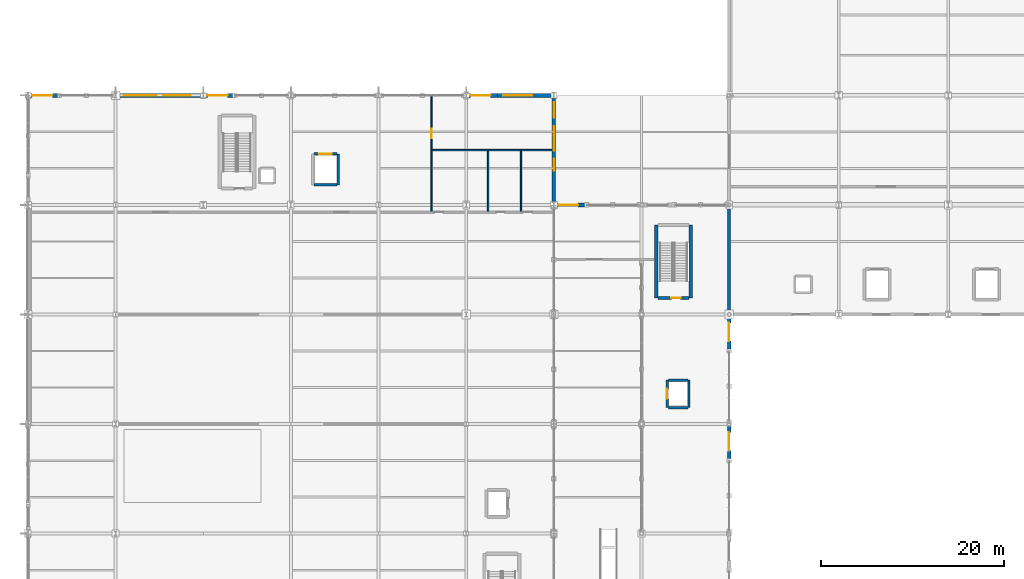
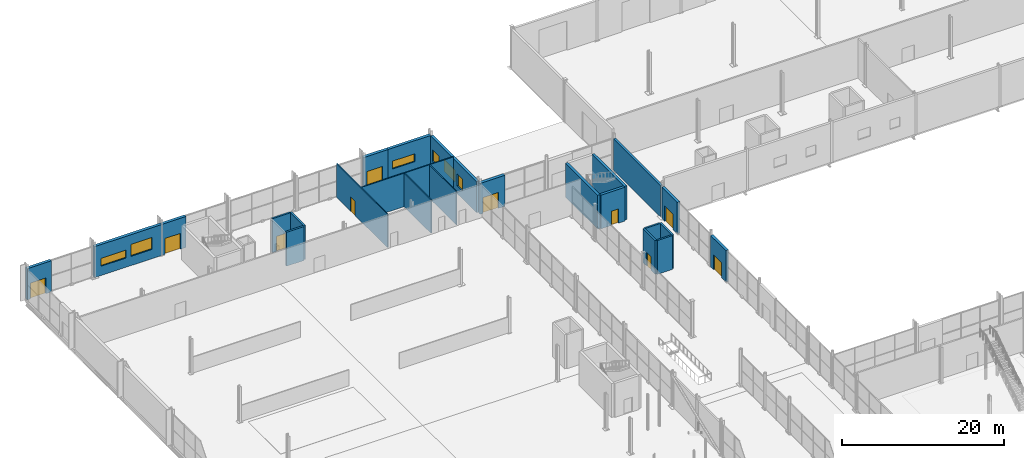
# One storey, part 172 of 196: 24 walls, 10 doors, 6 windows, 16 openings.
"""IFC4 building model written with IfcOpenShell, lengths in metres."""

from ifc_helpers import new_model, si_unit, direction, frame, frame_2d, origin, place, context, subcontext, project, spatial, rectangle, extrude, material, layer, layer_set, type_object, element, fill, save


model = new_model("IFC4")

# Units and contexts
model_context = context("Model", 3, precision=1e-05, world=origin(), true_north=direction((0.0, 1.0)))
body_context = subcontext(model_context, "Body", "Model", "MODEL_VIEW")
ifc_project = project(units=[si_unit("LENGTHUNIT", "METRE"), si_unit("AREAUNIT", "SQUARE_METRE"), si_unit("VOLUMEUNIT", "CUBIC_METRE"), si_unit("PLANEANGLEUNIT", "RADIAN"), si_unit("MASSUNIT", "GRAM", prefix="KILO")], contexts=[model_context])

# Site, building, storey
site_placement = place(None, origin())
site = spatial("IfcSite", under=ifc_project, at=site_placement, CompositionType="ELEMENT")
building_placement = place(site_placement, origin())
building = spatial("IfcBuilding", under=site, at=building_placement, Name="Merenkruunu Market Hall", CompositionType="ELEMENT")
storey_placement = place(building_placement, origin())
storey = spatial("IfcBuildingStorey", under=building, at=storey_placement, Name="L00", CompositionType="ELEMENT", Elevation=0.0)

# Wall, opening, door
ifc_material_1 = material(Name="Kuru grey granite", Category="masonry")
ifc_layer_1 = layer(ifc_material_1, 0.419921875)
ifc_layer_set_1 = layer_set([ifc_layer_1], Name="Kuru grey granite")
wall_type_1 = type_object("IfcWallType", Name="Exterior Envelope Wall EW01", PredefinedType="STANDARD", material=ifc_layer_set_1)
wall_1_placement = place(storey_placement, frame((0.011962890625, 111.60009765625, 0.0), z_axis=(0.0, 0.0, 1.0), x_axis=(1.0, 0.0, 0.0)))
wall_1 = element("IfcWall", 1, at=wall_1_placement, inside=storey, type_object=wall_type_1, Name="WALL-EXT-L00-0014", PredefinedType="STANDARD", context=body_context, shape_type="SweptSolid", body=[
    extrude(rectangle(XDim=3.43798828125, YDim=0.419921875, at=frame_2d((1.718994140625, 0.0))), origin(), (0.0, 0.0, 1.0), 4.699951171875),
])
opening_1_placement = place(wall_1_placement, frame((0.449951171875, 0.0, 0.0)))
opening_1 = element("IfcOpeningElement", 2, at=opening_1_placement, cuts=wall_1, Name="Opening EXD02", PredefinedType="OPENING", context=body_context, shape_type="SweptSolid", body=[
    extrude(rectangle(XDim=2.199951171875, YDim=2.39990234375, at=frame_2d((1.10009765625, 1.199951171875))), frame((0.0, 0.219970703125, 0.0), z_axis=(0.0, -1.0, 0.0), x_axis=(1.0, 0.0, 0.0)), (0.0, 0.0, 1.0), 0.43994140625),
])
ifc_material_2 = material(Name="Powder-coated aluminium", Category="aluminium")
door_type_1 = type_object("IfcDoorType", Name="Pedestrian Exit Door EXD02", OperationType="NOTDEFINED", PredefinedType="DOOR", material=ifc_material_2)
door_1_placement = place(opening_1_placement, origin())
door_1 = element("IfcDoor", 3, at=door_1_placement, inside=storey, type_object=door_type_1, Name="EX-07", OperationType="DOUBLE_DOOR_SINGLE_SWING", OverallHeight=2.39990234375, OverallWidth=2.199951171875, PredefinedType="DOOR", context=body_context, shape_type="SweptSolid", body=[
    extrude(rectangle(XDim=2.199951171875, YDim=2.39990234375, at=frame_2d((1.10009765625, 1.199951171875))), frame((0.0, 0.02490234375, 0.0), z_axis=(0.0, -1.0, 0.0), x_axis=(1.0, 0.0, 0.0)), (0.0, 0.0, 1.0), 0.050048828125),
])
fill(opening_1, door_1)

# Wall, openings, windows
wall_2_placement = place(storey_placement, frame((9.610107421875, 111.60009765625, 0.0), z_axis=(0.0, 0.0, 1.0), x_axis=(1.0, 0.0, 0.0)))
wall_2 = element("IfcWall", 4, at=wall_2_placement, inside=storey, type_object=wall_type_1, Name="WALL-EXT-L00-0015", PredefinedType="STANDARD", context=body_context, shape_type="SweptSolid", body=[
    extrude(rectangle(XDim=9.57958984375, YDim=0.419921875, at=frame_2d((4.789794921875, 0.0))), origin(), (0.0, 0.0, 1.0), 4.6650390625),
])
opening_2_placement = place(wall_2_placement, frame((0.89990234375, 0.0, 1.39990234375)))
opening_2 = element("IfcOpeningElement", 5, at=opening_2_placement, cuts=wall_2, Name="Opening WN18", PredefinedType="OPENING", context=body_context, shape_type="SweptSolid", body=[
    extrude(rectangle(XDim=3.60009765625, YDim=1.199951171875, at=frame_2d((1.800048828125, 0.60009765625))), frame((0.0, 0.219970703125, 0.0), z_axis=(0.0, -1.0, 0.0), x_axis=(1.0, 0.0, 0.0)), (0.0, 0.0, 1.0), 0.43994140625),
])
opening_3_placement = place(wall_2_placement, frame((5.199951171875, 0.0, 1.39990234375)))
opening_3 = element("IfcOpeningElement", 6, at=opening_3_placement, cuts=wall_2, Name="Opening WN07", PredefinedType="OPENING", context=body_context, shape_type="SweptSolid", body=[
    extrude(rectangle(XDim=3.0, YDim=1.800048828125, at=frame_2d((1.5, 0.89990234375))), frame((0.0, 0.219970703125, 0.0), z_axis=(0.0, -1.0, 0.0), x_axis=(1.0, 0.0, 0.0)), (0.0, 0.0, 1.0), 0.43994140625),
])
ifc_material_3 = material(Name="Triple low-E insulated glass", Category="glass")
ifc_layer_2 = layer(ifc_material_3, 0.06005859375)
ifc_layer_set_2 = layer_set([ifc_layer_2], Name="Triple low-E insulated glass")
window_type_1 = type_object("IfcWindowType", Name="Exterior Window WN07", PartitioningType="SINGLE_PANEL", PredefinedType="WINDOW", material=ifc_layer_set_2)
window_1_placement = place(opening_3_placement, origin())
window_1 = element("IfcWindow", 7, at=window_1_placement, inside=storey, type_object=window_type_1, Name="WIN-L00-0005", OverallHeight=1.800048828125, OverallWidth=3.0, PartitioningType="SINGLE_PANEL", PredefinedType="WINDOW", context=body_context, shape_type="SweptSolid", body=[
    extrude(rectangle(XDim=3.0, YDim=1.800048828125, at=frame_2d((1.5, 0.89990234375))), frame((0.0, 0.030029296875, 0.0), z_axis=(0.0, -1.0, 0.0), x_axis=(1.0, 0.0, 0.0)), (0.0, 0.0, 1.0), 0.06005859375),
])
fill(opening_3, window_1)
ifc_layer_3 = layer(ifc_material_3, 0.06005859375)
ifc_layer_set_3 = layer_set([ifc_layer_3], Name="Triple low-E insulated glass")
window_type_2 = type_object("IfcWindowType", Name="Exterior Window WN18", PartitioningType="SINGLE_PANEL", PredefinedType="WINDOW", material=ifc_layer_set_3)
window_2_placement = place(opening_2_placement, origin())
window_2 = element("IfcWindow", 8, at=window_2_placement, inside=storey, type_object=window_type_2, Name="WIN-L00-0004", OverallHeight=1.199951171875, OverallWidth=3.60009765625, PartitioningType="SINGLE_PANEL", PredefinedType="WINDOW", context=body_context, shape_type="SweptSolid", body=[
    extrude(rectangle(XDim=3.60009765625, YDim=1.199951171875, at=frame_2d((1.800048828125, 0.60009765625))), frame((0.0, 0.030029296875, 0.0), z_axis=(0.0, -1.0, 0.0), x_axis=(1.0, 0.0, 0.0)), (0.0, 0.0, 1.0), 0.06005859375),
])
fill(opening_2, window_2)

# Wall, opening, door
wall_3_placement = place(storey_placement, frame((19.210205078125, 111.60009765625, 0.0), z_axis=(0.0, 0.0, 1.0), x_axis=(1.0, 0.0, 0.0)))
wall_3 = element("IfcWall", 9, at=wall_3_placement, inside=storey, type_object=wall_type_1, Name="WALL-EXT-L00-0016", PredefinedType="STANDARD", context=body_context, shape_type="SweptSolid", body=[
    extrude(rectangle(XDim=3.439697265625, YDim=0.419921875, at=frame_2d((1.7197265625, 0.0))), origin(), (0.0, 0.0, 1.0), 4.6650390625),
])
opening_4_placement = place(wall_3_placement, frame((0.449951171875, 0.0, 0.0)))
opening_4 = element("IfcOpeningElement", 10, at=opening_4_placement, cuts=wall_3, Name="Opening EXD02", PredefinedType="OPENING", context=body_context, shape_type="SweptSolid", body=[
    extrude(rectangle(XDim=2.199951171875, YDim=2.39990234375, at=frame_2d((1.10009765625, 1.199951171875))), frame((0.0, 0.219970703125, 0.0), z_axis=(0.0, -1.0, 0.0), x_axis=(1.0, 0.0, 0.0)), (0.0, 0.0, 1.0), 0.43994140625),
])
door_2_placement = place(opening_4_placement, origin())
door_2 = element("IfcDoor", 11, at=door_2_placement, inside=storey, type_object=door_type_1, Name="EX-08", OperationType="DOUBLE_DOOR_SINGLE_SWING", OverallHeight=2.39990234375, OverallWidth=2.199951171875, PredefinedType="DOOR", context=body_context, shape_type="SweptSolid", body=[
    extrude(rectangle(XDim=2.199951171875, YDim=2.39990234375, at=frame_2d((1.10009765625, 1.199951171875))), frame((0.0, 0.02490234375, 0.0), z_axis=(0.0, -1.0, 0.0), x_axis=(1.0, 0.0, 0.0)), (0.0, 0.0, 1.0), 0.050048828125),
])
fill(opening_4, door_2)

wall_4_placement = place(storey_placement, frame((48.01025390625, 111.60009765625, 0.0), z_axis=(0.0, 0.0, 1.0), x_axis=(1.0, 0.0, 0.0)))
wall_4 = element("IfcWall", 12, at=wall_4_placement, inside=storey, type_object=wall_type_1, Name="WALL-EXT-L00-0017", PredefinedType="STANDARD", context=body_context, shape_type="SweptSolid", body=[
    extrude(rectangle(XDim=3.439697265625, YDim=0.419921875, at=frame_2d((1.7197265625, 0.0))), origin(), (0.0, 0.0, 1.0), 4.6650390625),
])
opening_5_placement = place(wall_4_placement, frame((0.449951171875, 0.0, 0.0)))
opening_5 = element("IfcOpeningElement", 13, at=opening_5_placement, cuts=wall_4, Name="Opening EXD02", PredefinedType="OPENING", context=body_context, shape_type="SweptSolid", body=[
    extrude(rectangle(XDim=2.199951171875, YDim=2.39990234375, at=frame_2d((1.10009765625, 1.199951171875))), frame((0.0, 0.219970703125, 0.0), z_axis=(0.0, -1.0, 0.0), x_axis=(1.0, 0.0, 0.0)), (0.0, 0.0, 1.0), 0.43994140625),
])
door_3_placement = place(opening_5_placement, origin())
door_3 = element("IfcDoor", 14, at=door_3_placement, inside=storey, type_object=door_type_1, Name="EX-09", OperationType="DOUBLE_DOOR_SINGLE_SWING", OverallHeight=2.39990234375, OverallWidth=2.199951171875, PredefinedType="DOOR", context=body_context, shape_type="SweptSolid", body=[
    extrude(rectangle(XDim=2.199951171875, YDim=2.39990234375, at=frame_2d((1.10009765625, 1.199951171875))), frame((0.0, 0.02490234375, 0.0), z_axis=(0.0, -1.0, 0.0), x_axis=(1.0, 0.0, 0.0)), (0.0, 0.0, 1.0), 0.050048828125),
])
fill(opening_5, door_3)

# Wall, opening, window
wall_5_placement = place(storey_placement, frame((51.449951171875, 111.60009765625, 0.0), z_axis=(0.0, 0.0, 1.0), x_axis=(1.0, 0.0, 0.0)))
wall_5 = element("IfcWall", 15, at=wall_5_placement, inside=storey, type_object=wall_type_1, Name="WALL-EXT-L00-0018", PredefinedType="STANDARD", context=body_context, shape_type="SweptSolid", body=[
    extrude(rectangle(XDim=6.137939453125, YDim=0.419921875, at=frame_2d((3.06884765625, 0.0))), origin(), (0.0, 0.0, 1.0), 4.6650390625),
])
opening_6_placement = place(wall_5_placement, frame((0.60009765625, 0.0, 1.5)))
opening_6 = element("IfcOpeningElement", 16, at=opening_6_placement, cuts=wall_5, Name="Opening WN17", PredefinedType="OPENING", context=body_context, shape_type="SweptSolid", body=[
    extrude(rectangle(XDim=3.199951171875, YDim=1.199951171875, at=frame_2d((1.60009765625, 0.60009765625))), frame((0.0, 0.219970703125, 0.0), z_axis=(0.0, -1.0, 0.0), x_axis=(1.0, 0.0, 0.0)), (0.0, 0.0, 1.0), 0.43994140625),
])
ifc_layer_4 = layer(ifc_material_3, 0.06005859375)
ifc_layer_set_4 = layer_set([ifc_layer_4], Name="Triple low-E insulated glass")
window_type_3 = type_object("IfcWindowType", Name="Exterior Window WN17", PartitioningType="SINGLE_PANEL", PredefinedType="WINDOW", material=ifc_layer_set_4)
window_3_placement = place(opening_6_placement, origin())
window_3 = element("IfcWindow", 17, at=window_3_placement, inside=storey, type_object=window_type_3, Name="WIN-L00-0006", OverallHeight=1.199951171875, OverallWidth=3.199951171875, PartitioningType="SINGLE_PANEL", PredefinedType="WINDOW", context=body_context, shape_type="SweptSolid", body=[
    extrude(rectangle(XDim=3.199951171875, YDim=1.199951171875, at=frame_2d((1.60009765625, 0.60009765625))), frame((0.0, 0.030029296875, 0.0), z_axis=(0.0, -1.0, 0.0), x_axis=(1.0, 0.0, 0.0)), (0.0, 0.0, 1.0), 0.06005859375),
])
fill(opening_6, window_3)

# Wall, opening, door
wall_6_placement = place(storey_placement, frame((57.612060546875, 99.60009765625, 0.0), z_axis=(0.0, 0.0, 1.0), x_axis=(1.0, 0.0, 0.0)))
wall_6 = element("IfcWall", 18, at=wall_6_placement, inside=storey, type_object=wall_type_1, Name="WALL-EXT-L00-0025", PredefinedType="STANDARD", context=body_context, shape_type="SweptSolid", body=[
    extrude(rectangle(XDim=3.587890625, YDim=0.419921875, at=frame_2d((1.7939453125, 0.0))), origin(), (0.0, 0.0, 1.0), 4.6650390625),
])
opening_7_placement = place(wall_6_placement, frame((0.449951171875, 0.0, 0.0)))
opening_7 = element("IfcOpeningElement", 19, at=opening_7_placement, cuts=wall_6, Name="Opening EXD02", PredefinedType="OPENING", context=body_context, shape_type="SweptSolid", body=[
    extrude(rectangle(XDim=2.199951171875, YDim=2.39990234375, at=frame_2d((1.10009765625, 1.199951171875))), frame((0.0, 0.219970703125, 0.0), z_axis=(0.0, -1.0, 0.0), x_axis=(1.0, 0.0, 0.0)), (0.0, 0.0, 1.0), 0.43994140625),
])
door_4_placement = place(opening_7_placement, origin())
door_4 = element("IfcDoor", 20, at=door_4_placement, inside=storey, type_object=door_type_1, Name="EX-11", OperationType="DOUBLE_DOOR_SINGLE_SWING", OverallHeight=2.39990234375, OverallWidth=2.199951171875, PredefinedType="DOOR", context=body_context, shape_type="SweptSolid", body=[
    extrude(rectangle(XDim=2.199951171875, YDim=2.39990234375, at=frame_2d((1.10009765625, 1.199951171875))), frame((0.0, 0.02490234375, 0.0), z_axis=(0.0, -1.0, 0.0), x_axis=(1.0, 0.0, 0.0)), (0.0, 0.0, 1.0), 0.050048828125),
])
fill(opening_7, door_4)

# Wall, openings, windows
ifc_material_4 = material(Name="Precast concrete C40/50", Category="concrete")
ifc_layer_5 = layer(ifc_material_4, 0.3798828125)
ifc_layer_set_5 = layer_set([ifc_layer_5], Name="Precast concrete C40/50")
wall_type_2 = type_object("IfcWallType", Name="Exterior Envelope Wall EW02", PredefinedType="STANDARD", material=ifc_layer_set_5)
wall_7_placement = place(storey_placement, frame((57.60009765625, 111.27099609375, 0.0), z_axis=(0.0, 0.0, 1.0), x_axis=(0.0, -1.0, 0.0)))
wall_7 = element("IfcWall", 21, at=wall_7_placement, inside=storey, type_object=wall_type_2, Name="WALL-EXT-L00-0023", PredefinedType="STANDARD", context=body_context, shape_type="SweptSolid", body=[
    extrude(rectangle(XDim=11.342041015625, YDim=0.3798828125, at=frame_2d((5.6708984375, 0.0))), origin(), (0.0, 0.0, 1.0), 4.699951171875),
])
opening_8_placement = place(wall_7_placement, frame((0.449951171875, 0.0, 1.199951171875)))
opening_8 = element("IfcOpeningElement", 22, at=opening_8_placement, cuts=wall_7, Name="Opening WN24", PredefinedType="OPENING", context=body_context, shape_type="SweptSolid", body=[
    extrude(rectangle(XDim=1.64990234375, YDim=1.75, at=frame_2d((0.824951171875, 0.875))), frame((0.0, 0.199951171875, 0.0), z_axis=(0.0, -1.0, 0.0), x_axis=(1.0, 0.0, 0.0)), (0.0, 0.0, 1.0), 0.39990234375),
])
opening_9_placement = place(wall_7_placement, frame((3.050048828125, 0.0, 1.199951171875)))
opening_9 = element("IfcOpeningElement", 23, at=opening_9_placement, cuts=wall_7, Name="Opening WN06", PredefinedType="OPENING", context=body_context, shape_type="SweptSolid", body=[
    extrude(rectangle(XDim=2.699951171875, YDim=1.800048828125, at=frame_2d((1.35009765625, 0.89990234375))), frame((0.0, 0.199951171875, 0.0), z_axis=(0.0, -1.0, 0.0), x_axis=(1.0, 0.0, 0.0)), (0.0, 0.0, 1.0), 0.39990234375),
])
opening_10_placement = place(wall_7_placement, frame((6.60009765625, 0.0, 1.199951171875)))
opening_10 = element("IfcOpeningElement", 24, at=opening_10_placement, cuts=wall_7, Name="Opening WN23", PredefinedType="OPENING", context=body_context, shape_type="SweptSolid", body=[
    extrude(rectangle(XDim=1.35009765625, YDim=1.75, at=frame_2d((0.675048828125, 0.875))), frame((0.0, 0.199951171875, 0.0), z_axis=(0.0, -1.0, 0.0), x_axis=(1.0, 0.0, 0.0)), (0.0, 0.0, 1.0), 0.39990234375),
])
ifc_layer_6 = layer(ifc_material_3, 0.06005859375)
ifc_layer_set_6 = layer_set([ifc_layer_6], Name="Triple low-E insulated glass")
window_type_4 = type_object("IfcWindowType", Name="Exterior Window WN06", PartitioningType="SINGLE_PANEL", PredefinedType="WINDOW", material=ifc_layer_set_6)
window_4_placement = place(opening_9_placement, origin())
window_4 = element("IfcWindow", 25, at=window_4_placement, inside=storey, type_object=window_type_4, Name="WIN-L00-0008", OverallHeight=1.800048828125, OverallWidth=2.699951171875, PartitioningType="SINGLE_PANEL", PredefinedType="WINDOW", context=body_context, shape_type="SweptSolid", body=[
    extrude(rectangle(XDim=2.699951171875, YDim=1.800048828125, at=frame_2d((1.35009765625, 0.89990234375))), frame((0.0, 0.030029296875, 0.0), z_axis=(0.0, -1.0, 0.0), x_axis=(1.0, 0.0, 0.0)), (0.0, 0.0, 1.0), 0.06005859375),
])
fill(opening_9, window_4)
ifc_layer_7 = layer(ifc_material_3, 0.06005859375)
ifc_layer_set_7 = layer_set([ifc_layer_7], Name="Triple low-E insulated glass")
window_type_5 = type_object("IfcWindowType", Name="Exterior Window WN23", PartitioningType="SINGLE_PANEL", PredefinedType="WINDOW", material=ifc_layer_set_7)
window_5_placement = place(opening_10_placement, origin())
window_5 = element("IfcWindow", 26, at=window_5_placement, inside=storey, type_object=window_type_5, Name="WIN-L00-0009", OverallHeight=1.75, OverallWidth=1.35009765625, PartitioningType="SINGLE_PANEL", PredefinedType="WINDOW", context=body_context, shape_type="SweptSolid", body=[
    extrude(rectangle(XDim=1.35009765625, YDim=1.75, at=frame_2d((0.675048828125, 0.875))), frame((0.0, 0.030029296875, 0.0), z_axis=(0.0, -1.0, 0.0), x_axis=(1.0, 0.0, 0.0)), (0.0, 0.0, 1.0), 0.06005859375),
])
fill(opening_10, window_5)
ifc_layer_8 = layer(ifc_material_3, 0.06005859375)
ifc_layer_set_8 = layer_set([ifc_layer_8], Name="Triple low-E insulated glass")
window_type_6 = type_object("IfcWindowType", Name="Exterior Window WN24", PartitioningType="SINGLE_PANEL", PredefinedType="WINDOW", material=ifc_layer_set_8)
window_6_placement = place(opening_8_placement, origin())
window_6 = element("IfcWindow", 27, at=window_6_placement, inside=storey, type_object=window_type_6, Name="WIN-L00-0007", OverallHeight=1.75, OverallWidth=1.64990234375, PartitioningType="SINGLE_PANEL", PredefinedType="WINDOW", context=body_context, shape_type="SweptSolid", body=[
    extrude(rectangle(XDim=1.64990234375, YDim=1.75, at=frame_2d((0.824951171875, 0.875))), frame((0.0, 0.030029296875, 0.0), z_axis=(0.0, -1.0, 0.0), x_axis=(1.0, 0.0, 0.0)), (0.0, 0.0, 1.0), 0.06005859375),
])
fill(opening_8, window_6)

# Wall, opening, door
wall_8_placement = place(storey_placement, frame((76.800048828125, 75.392822265625, 0.0), z_axis=(0.0, 0.0, 1.0), x_axis=(0.0, -1.0, 0.0)))
wall_8 = element("IfcWall", 28, at=wall_8_placement, inside=storey, type_object=wall_type_2, Name="WALL-EXT-L00-0029", PredefinedType="STANDARD", context=body_context, shape_type="SweptSolid", body=[
    extrude(rectangle(XDim=3.792724609375, YDim=0.3798828125, at=frame_2d((1.896484375, 0.0))), origin(), (0.0, 0.0, 1.0), 4.735107421875),
])
opening_11_placement = place(wall_8_placement, frame((0.699951171875, 0.0, 0.0)))
opening_11 = element("IfcOpeningElement", 29, at=opening_11_placement, cuts=wall_8, Name="Opening EXD03", PredefinedType="OPENING", context=body_context, shape_type="SweptSolid", body=[
    extrude(rectangle(XDim=2.0, YDim=2.300048828125, at=frame_2d((1.0, 1.14990234375))), frame((0.0, 0.199951171875, 0.0), z_axis=(0.0, -1.0, 0.0), x_axis=(1.0, 0.0, 0.0)), (0.0, 0.0, 1.0), 0.39990234375),
])
door_type_2 = type_object("IfcDoorType", Name="Pedestrian Exit Door EXD03", OperationType="NOTDEFINED", PredefinedType="DOOR", material=ifc_material_2)
door_5_placement = place(opening_11_placement, origin())
door_5 = element("IfcDoor", 30, at=door_5_placement, inside=storey, type_object=door_type_2, Name="EX-15", OperationType="DOUBLE_DOOR_SINGLE_SWING", OverallHeight=2.300048828125, OverallWidth=2.0, PredefinedType="DOOR", context=body_context, shape_type="SweptSolid", body=[
    extrude(rectangle(XDim=2.0, YDim=2.300048828125, at=frame_2d((1.0, 1.14990234375))), frame((0.0, 0.02490234375, 0.0), z_axis=(0.0, -1.0, 0.0), x_axis=(1.0, 0.0, 0.0)), (0.0, 0.0, 1.0), 0.050048828125),
])
fill(opening_11, door_5)

wall_9_placement = place(storey_placement, frame((76.800048828125, 87.392822265625, 0.0), z_axis=(0.0, 0.0, 1.0), x_axis=(0.0, -1.0, 0.0)))
wall_9 = element("IfcWall", 31, at=wall_9_placement, inside=storey, type_object=wall_type_2, Name="WALL-EXT-L00-0030", PredefinedType="STANDARD", context=body_context, shape_type="SweptSolid", body=[
    extrude(rectangle(XDim=3.792724609375, YDim=0.3798828125, at=frame_2d((1.896484375, 0.0))), origin(), (0.0, 0.0, 1.0), 4.735107421875),
])
opening_12_placement = place(wall_9_placement, frame((0.699951171875, 0.0, 0.0)))
opening_12 = element("IfcOpeningElement", 32, at=opening_12_placement, cuts=wall_9, Name="Opening EXD03", PredefinedType="OPENING", context=body_context, shape_type="SweptSolid", body=[
    extrude(rectangle(XDim=2.0, YDim=2.300048828125, at=frame_2d((1.0, 1.14990234375))), frame((0.0, 0.199951171875, 0.0), z_axis=(0.0, -1.0, 0.0), x_axis=(1.0, 0.0, 0.0)), (0.0, 0.0, 1.0), 0.39990234375),
])
door_6_placement = place(opening_12_placement, origin())
door_6 = element("IfcDoor", 33, at=door_6_placement, inside=storey, type_object=door_type_2, Name="EX-16", OperationType="DOUBLE_DOOR_SINGLE_SWING", OverallHeight=2.300048828125, OverallWidth=2.0, PredefinedType="DOOR", context=body_context, shape_type="SweptSolid", body=[
    extrude(rectangle(XDim=2.0, YDim=2.300048828125, at=frame_2d((1.0, 1.14990234375))), frame((0.0, 0.02490234375, 0.0), z_axis=(0.0, -1.0, 0.0), x_axis=(1.0, 0.0, 0.0)), (0.0, 0.0, 1.0), 0.050048828125),
])
fill(opening_12, door_6)

# Wall
ifc_material_5 = material(Name="Ribbed insulated steel cladding", Category="steel")
ifc_layer_9 = layer(ifc_material_5, 0.320068359375)
ifc_layer_set_9 = layer_set([ifc_layer_9], Name="Ribbed insulated steel cladding")
wall_type_3 = type_object("IfcWallType", Name="Exterior Envelope Wall EW04", PredefinedType="STANDARD", material=ifc_layer_set_9)
wall_10_placement = place(storey_placement, frame((76.800048828125, 87.80712890625, 0.0), z_axis=(0.0, 0.0, 1.0), x_axis=(0.0, 1.0, 0.0)))
element("IfcWall", 34, at=wall_10_placement, inside=storey, type_object=wall_type_3, Name="WALL-EXT-L00-0045", PredefinedType="STANDARD", context=body_context, shape_type="SweptSolid", body=[
    extrude(rectangle(XDim=11.585693359375, YDim=0.320068359375, at=frame_2d((5.79296875, 0.0))), origin(), (0.0, 0.0, 1.0), 4.735107421875),
])

# Wall, opening, door
ifc_material_6 = material(Name="Ceramic hygienic wet-room board")
ifc_layer_10 = layer(ifc_material_6, 0.139892578125)
ifc_layer_set_10 = layer_set([ifc_layer_10], Name="Ceramic hygienic wet-room board")
wall_type_4 = type_object("IfcWallType", Name="Interior Partition Wall PW02", PredefinedType="PARTITIONING", material=ifc_layer_set_10)
wall_11_placement = place(storey_placement, frame((44.199951171875, 98.902099609375, 0.0), z_axis=(0.0, 0.0, 1.0), x_axis=(0.0, 1.0, 0.0)))
wall_11 = element("IfcWall", 35, at=wall_11_placement, inside=storey, type_object=wall_type_4, Name="WALL-INT-L00-0029", PredefinedType="PARTITIONING", context=body_context, shape_type="SweptSolid", body=[
    extrude(rectangle(XDim=12.615966796875, YDim=0.139892578125, at=frame_2d((6.30810546875, 0.0))), origin(), (0.0, 0.0, 1.0), 5.0400390625),
])
opening_13_placement = place(wall_11_placement, frame((8.0, 0.0, 0.0)))
opening_13 = element("IfcOpeningElement", 36, at=opening_13_placement, cuts=wall_11, Name="Opening D03", PredefinedType="OPENING", context=body_context, shape_type="SweptSolid", body=[
    extrude(rectangle(XDim=1.050048828125, YDim=2.14990234375, at=frame_2d((0.52490234375, 1.074951171875))), frame((0.0, 0.080078125, 0.0), z_axis=(0.0, -1.0, 0.0), x_axis=(1.0, 0.0, 0.0)), (0.0, 0.0, 1.0), 0.159912109375),
])
ifc_material_7 = material(Name="Lacquered Nordic birch")
door_type_3 = type_object("IfcDoorType", Name="Pedestrian Room Door D03", OperationType="NOTDEFINED", PredefinedType="DOOR", material=ifc_material_7)
door_7_placement = place(opening_13_placement, origin())
door_7 = element("IfcDoor", 37, at=door_7_placement, inside=storey, type_object=door_type_3, Name="DR-L00-032", OperationType="SINGLE_SWING_LEFT", OverallHeight=2.14990234375, OverallWidth=1.050048828125, PredefinedType="DOOR", context=body_context, shape_type="SweptSolid", body=[
    extrude(rectangle(XDim=1.050048828125, YDim=2.14990234375, at=frame_2d((0.52490234375, 1.074951171875))), frame((0.0, 0.02490234375, 0.0), z_axis=(0.0, -1.0, 0.0), x_axis=(1.0, 0.0, 0.0)), (0.0, 0.0, 1.0), 0.050048828125),
])
fill(opening_13, door_7)

# Walls
wall_12_placement = place(storey_placement, frame((44.27197265625, 105.60009765625, 0.0), z_axis=(0.0, 0.0, 1.0), x_axis=(1.0, 0.0, 0.0)))
element("IfcWall", 38, at=wall_12_placement, inside=storey, type_object=wall_type_4, Name="WALL-INT-L00-0030", PredefinedType="PARTITIONING", context=body_context, shape_type="SweptSolid", body=[
    extrude(rectangle(XDim=13.135986328125, YDim=0.139892578125, at=frame_2d((6.56787109375, 0.0))), origin(), (0.0, 0.0, 1.0), 5.0400390625),
])
for number, where, z_axis, x_axis, name in (
    (39, (50.39990234375, 98.902099609375, 0.0), (0.0, 0.0, 1.0), (0.0, 1.0, 0.0), "WALL-INT-L00-0031"),
    (40, (54.0, 98.902099609375, 0.0), (0.0, 0.0, 1.0), (0.0, 1.0, 0.0), "WALL-INT-L00-0032"),
):
    element("IfcWall", number, at=place(storey_placement, frame(where, z_axis=z_axis, x_axis=x_axis)), inside=storey, type_object=wall_type_4, Name=name, PredefinedType="PARTITIONING", context=body_context, shape_type="SweptSolid", body=[
        extrude(rectangle(XDim=6.6259765625, YDim=0.139892578125, at=frame_2d((3.31298828125, 0.0))), origin(), (0.0, 0.0, 1.0), 5.0400390625),
    ])

# Wall, opening, door
ifc_material_8 = material(Name="Concrete C35/45", Category="concrete")
ifc_layer_11 = layer(ifc_material_8, 0.360107421875)
ifc_layer_set_11 = layer_set([ifc_layer_11], Name="Concrete C35/45")
wall_type_5 = type_object("IfcWallType", Name="Structural Shear Wall SW01", PredefinedType="SHEAR", material=ifc_layer_set_11)
wall_13_placement = place(storey_placement, frame((72.419921875, 89.39990234375, 0.0), z_axis=(0.0, 0.0, 1.0), x_axis=(-1.0, 0.0, 0.0)))
wall_13 = element("IfcWall", 41, at=wall_13_placement, inside=storey, type_object=wall_type_5, Name="WALL-CORE-K4-L00-S", PredefinedType="SHEAR", context=body_context, shape_type="SweptSolid", body=[
    extrude(rectangle(XDim=3.43994140625, YDim=0.360107421875, at=frame_2d((1.719970703125, 0.0))), origin(), (0.0, 0.0, 1.0), 5.090087890625),
])
opening_14_placement = place(wall_13_placement, frame((0.949951171875, 0.0, 0.0)))
opening_14 = element("IfcOpeningElement", 42, at=opening_14_placement, cuts=wall_13, Name="Opening FD01", PredefinedType="OPENING", context=body_context, shape_type="SweptSolid", body=[
    extrude(rectangle(XDim=1.0, YDim=2.14990234375, at=frame_2d((0.5, 1.074951171875))), frame((0.0, 0.18994140625, 0.0), z_axis=(0.0, -1.0, 0.0), x_axis=(1.0, 0.0, 0.0)), (0.0, 0.0, 1.0), 0.380126953125),
])
door_type_4 = type_object("IfcDoorType", Name="Fire Compartment Door FD01", OperationType="NOTDEFINED", PredefinedType="DOOR", material=ifc_material_2)
door_8_placement = place(opening_14_placement, origin())
door_8 = element("IfcDoor", 43, at=door_8_placement, inside=storey, type_object=door_type_4, Name="DR-L00-109", OperationType="SINGLE_SWING_LEFT", OverallHeight=2.14990234375, OverallWidth=1.0, PredefinedType="DOOR", context=body_context, shape_type="SweptSolid", body=[
    extrude(rectangle(XDim=1.0, YDim=2.14990234375, at=frame_2d((0.5, 1.074951171875))), frame((0.0, 0.02490234375, 0.0), z_axis=(0.0, -1.0, 0.0), x_axis=(1.0, 0.0, 0.0)), (0.0, 0.0, 1.0), 0.050048828125),
])
fill(opening_14, door_8)

# Walls
for number, where, z_axis, x_axis, name in (
    (44, (72.60009765625, 89.39990234375, 0.0), (0.0, 0.0, 1.0), (0.0, 1.0, 0.0), "WALL-CORE-K4-L00-E"),
    (45, (68.800048828125, 97.39990234375, 0.0), (0.0, 0.0, 1.0), (0.0, -1.0, 0.0), "WALL-CORE-K4-L00-W"),
):
    element("IfcWall", number, at=place(storey_placement, frame(where, z_axis=z_axis, x_axis=x_axis)), inside=storey, type_object=wall_type_5, Name=name, PredefinedType="SHEAR", context=body_context, shape_type="SweptSolid", body=[
        extrude(rectangle(XDim=8.0, YDim=0.360107421875, at=frame_2d((4.0, 0.0))), origin(), (0.0, 0.0, 1.0), 5.090087890625),
    ])
ifc_layer_12 = layer(ifc_material_8, 0.260009765625)
ifc_layer_set_12 = layer_set([ifc_layer_12], Name="Concrete C35/45")
wall_type_6 = type_object("IfcWallType", Name="Structural Shear Wall SW03", PredefinedType="SHEAR", material=ifc_layer_set_12)
wall_14_placement = place(storey_placement, frame((70.1298828125, 77.39990234375, 0.0), z_axis=(0.0, 0.0, 1.0), x_axis=(1.0, 0.0, 0.0)))
element("IfcWall", 46, at=wall_14_placement, inside=storey, type_object=wall_type_6, Name="WALL-LIFT-LP2-L00-S", PredefinedType="SHEAR", context=body_context, shape_type="SweptSolid", body=[
    extrude(rectangle(XDim=2.14013671875, YDim=0.260009765625, at=frame_2d((1.070068359375, 0.0))), origin(), (0.0, 0.0, 1.0), 5.090087890625),
])
wall_15_placement = place(storey_placement, frame((72.39990234375, 77.39990234375, 0.0), z_axis=(0.0, 0.0, 1.0), x_axis=(0.0, 1.0, 0.0)))
element("IfcWall", 47, at=wall_15_placement, inside=storey, type_object=wall_type_6, Name="WALL-LIFT-LP2-L00-E", PredefinedType="SHEAR", context=body_context, shape_type="SweptSolid", body=[
    extrude(rectangle(XDim=3.0, YDim=0.260009765625, at=frame_2d((1.5, 0.0))), origin(), (0.0, 0.0, 1.0), 5.090087890625),
])
wall_16_placement = place(storey_placement, frame((72.27001953125, 80.39990234375, 0.0), z_axis=(0.0, 0.0, 1.0), x_axis=(-1.0, 0.0, 0.0)))
element("IfcWall", 48, at=wall_16_placement, inside=storey, type_object=wall_type_6, Name="WALL-LIFT-LP2-L00-N", PredefinedType="SHEAR", context=body_context, shape_type="SweptSolid", body=[
    extrude(rectangle(XDim=2.14013671875, YDim=0.260009765625, at=frame_2d((1.070068359375, 0.0))), origin(), (0.0, 0.0, 1.0), 5.090087890625),
])

# Wall, opening, door
wall_17_placement = place(storey_placement, frame((70.0, 80.39990234375, 0.0), z_axis=(0.0, 0.0, 1.0), x_axis=(0.0, -1.0, 0.0)))
wall_17 = element("IfcWall", 49, at=wall_17_placement, inside=storey, type_object=wall_type_6, Name="WALL-LIFT-LP2-L00-W", PredefinedType="SHEAR", context=body_context, shape_type="SweptSolid", body=[
    extrude(rectangle(XDim=3.0, YDim=0.260009765625, at=frame_2d((1.5, 0.0))), origin(), (0.0, 0.0, 1.0), 5.090087890625),
])
opening_15_placement = place(wall_17_placement, frame((0.949951171875, 0.0, 0.0)))
opening_15 = element("IfcOpeningElement", 50, at=opening_15_placement, cuts=wall_17, Name="Opening LD01", PredefinedType="OPENING", context=body_context, shape_type="SweptSolid", body=[
    extrude(rectangle(XDim=1.10009765625, YDim=2.10009765625, at=frame_2d((0.550048828125, 1.050048828125))), frame((0.0, 0.14013671875, 0.0), z_axis=(0.0, -1.0, 0.0), x_axis=(1.0, 0.0, 0.0)), (0.0, 0.0, 1.0), 0.280029296875),
])
ifc_material_9 = material(Name="Brushed stainless steel", Category="steel")
door_type_5 = type_object("IfcDoorType", Name="Lift Landing Sliding Door LD01", OperationType="NOTDEFINED", PredefinedType="DOOR", material=ifc_material_9)
door_9_placement = place(opening_15_placement, origin())
door_9 = element("IfcDoor", 51, at=door_9_placement, inside=storey, type_object=door_type_5, Name="Lift landing door LP2 L00", OperationType="SLIDING_TO_LEFT", OverallHeight=2.10009765625, OverallWidth=1.10009765625, PredefinedType="DOOR", context=body_context, shape_type="SweptSolid", body=[
    extrude(rectangle(XDim=1.10009765625, YDim=2.10009765625, at=frame_2d((0.550048828125, 1.050048828125))), frame((0.0, 0.02490234375, 0.0), z_axis=(0.0, -1.0, 0.0), x_axis=(1.0, 0.0, 0.0)), (0.0, 0.0, 1.0), 0.050048828125),
])
fill(opening_15, door_9)

# Walls
wall_18_placement = place(storey_placement, frame((31.330078125, 101.800048828125, 0.0), z_axis=(0.0, 0.0, 1.0), x_axis=(1.0, 0.0, 0.0)))
element("IfcWall", 52, at=wall_18_placement, inside=storey, type_object=wall_type_6, Name="WALL-LIFT-LG1-L00-S", PredefinedType="SHEAR", context=body_context, shape_type="SweptSolid", body=[
    extrude(rectangle(XDim=2.5400390625, YDim=0.260009765625, at=frame_2d((1.27001953125, 0.0))), origin(), (0.0, 0.0, 1.0), 5.1201171875),
])
wall_19_placement = place(storey_placement, frame((34.0, 101.800048828125, 0.0), z_axis=(0.0, 0.0, 1.0), x_axis=(0.0, 1.0, 0.0)))
element("IfcWall", 53, at=wall_19_placement, inside=storey, type_object=wall_type_6, Name="WALL-LIFT-LG1-L00-E", PredefinedType="SHEAR", context=body_context, shape_type="SweptSolid", body=[
    extrude(rectangle(XDim=3.39990234375, YDim=0.260009765625, at=frame_2d((1.699951171875, 0.0))), origin(), (0.0, 0.0, 1.0), 5.1201171875),
])

# Wall, opening, door
wall_20_placement = place(storey_placement, frame((33.8701171875, 105.199951171875, 0.0), z_axis=(0.0, 0.0, 1.0), x_axis=(-1.0, 0.0, 0.0)))
wall_20 = element("IfcWall", 54, at=wall_20_placement, inside=storey, type_object=wall_type_6, Name="WALL-LIFT-LG1-L00-N", PredefinedType="SHEAR", context=body_context, shape_type="SweptSolid", body=[
    extrude(rectangle(XDim=2.5400390625, YDim=0.260009765625, at=frame_2d((1.27001953125, 0.0))), origin(), (0.0, 0.0, 1.0), 5.1201171875),
])
opening_16_placement = place(wall_20_placement, frame((0.570068359375, 0.0, 0.0)))
opening_16 = element("IfcOpeningElement", 55, at=opening_16_placement, cuts=wall_20, Name="Opening LD02", PredefinedType="OPENING", context=body_context, shape_type="SweptSolid", body=[
    extrude(rectangle(XDim=1.39990234375, YDim=2.25, at=frame_2d((0.699951171875, 1.125))), frame((0.0, 0.14013671875, 0.0), z_axis=(0.0, -1.0, 0.0), x_axis=(1.0, 0.0, 0.0)), (0.0, 0.0, 1.0), 0.280029296875),
])
door_type_6 = type_object("IfcDoorType", Name="Lift Landing Sliding Door LD02", OperationType="NOTDEFINED", PredefinedType="DOOR", material=ifc_material_9)
door_10_placement = place(opening_16_placement, origin())
door_10 = element("IfcDoor", 56, at=door_10_placement, inside=storey, type_object=door_type_6, Name="Lift landing door LG1 L00", OperationType="DOUBLE_DOOR_SLIDING", OverallHeight=2.25, OverallWidth=1.39990234375, PredefinedType="DOOR", context=body_context, shape_type="SweptSolid", body=[
    extrude(rectangle(XDim=1.39990234375, YDim=2.25, at=frame_2d((0.699951171875, 1.125))), frame((0.0, 0.02490234375, 0.0), z_axis=(0.0, -1.0, 0.0), x_axis=(1.0, 0.0, 0.0)), (0.0, 0.0, 1.0), 0.050048828125),
])
fill(opening_16, door_10)

save(model, "model.ifc")
